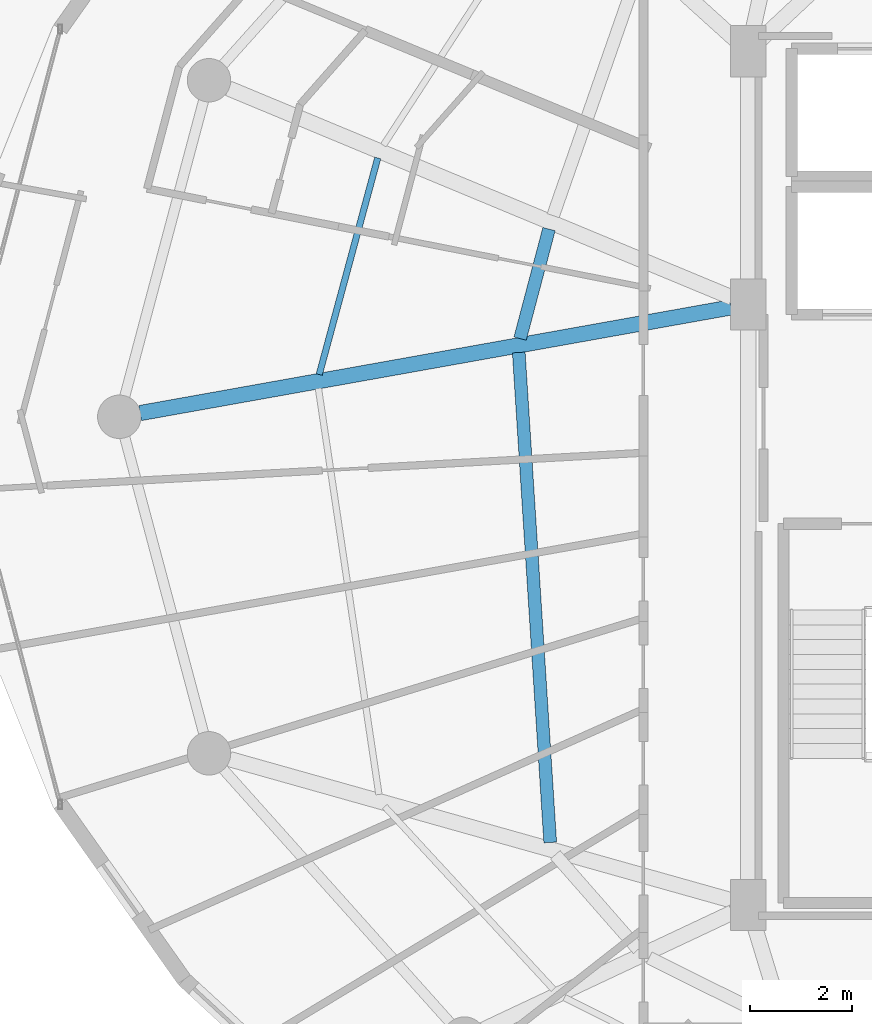
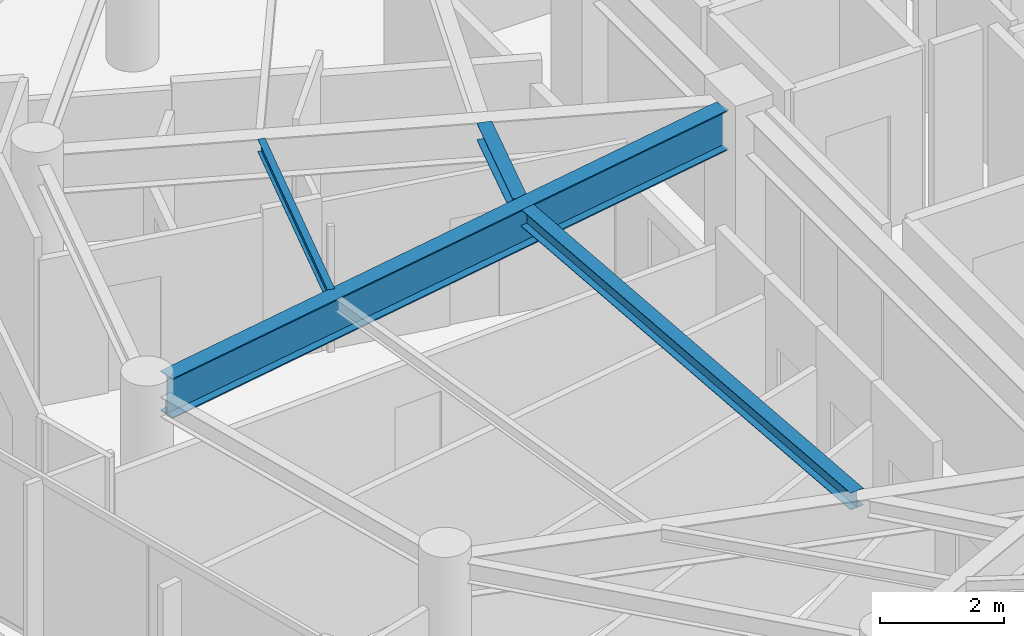
# One storey, part 7 of 29: 4 beams.
"""IFC4 building model written with IfcOpenShell, lengths in metres."""

from ifc_helpers import new_model, si_unit, direction, frame, origin, origin_2d, place, context, subcontext, project, spatial, i_section, extrude, material, material_profile, profile_set, type_object, element, save


model = new_model("IFC4")

# Units and contexts
model_context = context("Model", 3, precision=1e-05, world=origin(), true_north=direction((0.0, 1.0)))
body_context = subcontext(model_context, "Body", "Model", "MODEL_VIEW")
ifc_project = project(units=[si_unit("LENGTHUNIT", "METRE"), si_unit("AREAUNIT", "SQUARE_METRE"), si_unit("VOLUMEUNIT", "CUBIC_METRE"), si_unit("PLANEANGLEUNIT", "RADIAN"), si_unit("MASSUNIT", "GRAM", prefix="KILO")], contexts=[model_context])

# Site, building, storey
site_placement = place(None, origin())
site = spatial("IfcSite", under=ifc_project, at=site_placement, CompositionType="ELEMENT")
building_placement = place(site_placement, origin())
building = spatial("IfcBuilding", under=site, at=building_placement, Name="Vorneva Point Tower", CompositionType="ELEMENT")
storey_placement = place(building_placement, frame((0.0, 0.0, 259.10009765625)))
storey = spatial("IfcBuildingStorey", under=building, at=storey_placement, Name="L70", CompositionType="ELEMENT", Elevation=259.10009765625)

# Beams
ifc_material = material(Name="Steel S355", Category="steel")
ifc_material_profile_1 = material_profile(ifc_material, i_section(OverallWidth=0.300048828125, OverallDepth=0.7880859375, WebThickness=0.014404296875, FlangeThickness=0.02197265625, at=origin_2d()), Name="80Sh1")
ifc_profile_set_1 = profile_set([ifc_material_profile_1], Name="Steel S355")
beam_type_1 = type_object("IfcBeamType", Name="BM-GRD-80Sh1", PredefinedType="USERDEFINED", material=ifc_profile_set_1)
beam_1_placement = place(storey_placement, frame((15.3564453125, 26.07275390625, 2.89599609375), z_axis=(0.9843788355, 0.17606336422, 0.0), x_axis=(-0.17606336422, 0.9843788355, 0.0)))
element("IfcBeam", 1, at=beam_1_placement, inside=storey, type_object=beam_type_1, Name="L70 Radial Primary Girder 09", ObjectType="GIRDER", PredefinedType="USERDEFINED", context=body_context, shape_type="SweptSolid", body=[
    extrude(i_section(OverallWidth=0.300048828125, OverallDepth=0.7880859375, WebThickness=0.014404296875, FlangeThickness=0.02197265625, at=origin_2d()), origin(), (0.0, 0.0, 1.0), 11.7421875),
])
ifc_material_profile_2 = material_profile(ifc_material, i_section(OverallWidth=0.1240234375, OverallDepth=0.248046875, WebThickness=0.0048828125, FlangeThickness=0.008056640625, at=origin_2d()), Name="25B1")
ifc_profile_set_2 = profile_set([ifc_material_profile_2], Name="Steel S355")
beam_type_2 = type_object("IfcBeamType", Name="BM-JST-25B1", PredefinedType="JOIST", material=ifc_profile_set_2)
beam_2_placement = place(storey_placement, frame((20.0048828125, 31.0625, 3.166015625), z_axis=(-0.260871190305, -0.965373617865, 0.0), x_axis=(0.965373617865, -0.260871190305, 0.0)))
element("IfcBeam", 2, at=beam_2_placement, inside=storey, type_object=beam_type_2, Name="L70 Secondary Floor Beam 1.08", PredefinedType="JOIST", context=body_context, shape_type="SweptSolid", body=[
    extrude(i_section(OverallWidth=0.1240234375, OverallDepth=0.248046875, WebThickness=0.0048828125, FlangeThickness=0.008056640625, at=origin_2d()), origin(), (0.0, 0.0, 1.0), 4.38818359375),
])
ifc_material_profile_3 = material_profile(ifc_material, i_section(OverallWidth=0.2490234375, OverallDepth=0.333984375, WebThickness=0.008056640625, FlangeThickness=0.010986328125, at=origin_2d()), Name="35Sh1")
ifc_profile_set_3 = profile_set([ifc_material_profile_3], Name="Steel S355")
beam_type_3 = type_object("IfcBeamType", Name="BM-SEC-35Sh1", PredefinedType="BEAM", material=ifc_profile_set_3)
beam_3_placement = place(storey_placement, frame((23.354736328125, 29.670654296875, 3.122802734375), z_axis=(-0.255301687394, -0.9668614422, 0.0), x_axis=(0.9668614422, -0.255301687394, 0.0)))
element("IfcBeam", 3, at=beam_3_placement, inside=storey, type_object=beam_type_3, Name="L70 Secondary Floor Beam 2.08", PredefinedType="BEAM", context=body_context, shape_type="SweptSolid", body=[
    extrude(i_section(OverallWidth=0.2490234375, OverallDepth=0.333984375, WebThickness=0.008056640625, FlangeThickness=0.010986328125, at=origin_2d()), origin(), (0.0, 0.0, 1.0), 2.21484375),
])
beam_4_placement = place(storey_placement, frame((22.762939453125, 27.258056640625, 3.122802734375), z_axis=(0.064092343356, -0.997943972136, 0.0), x_axis=(0.997943972136, 0.064092343356, 0.0)))
element("IfcBeam", 4, at=beam_4_placement, inside=storey, type_object=beam_type_3, Name="L70 Secondary Floor Beam 2.09", PredefinedType="BEAM", context=body_context, shape_type="SweptSolid", body=[
    extrude(i_section(OverallWidth=0.2490234375, OverallDepth=0.333984375, WebThickness=0.008056640625, FlangeThickness=0.010986328125, at=origin_2d()), origin(), (0.0, 0.0, 1.0), 9.60302734375),
])

save(model, "model.ifc")
